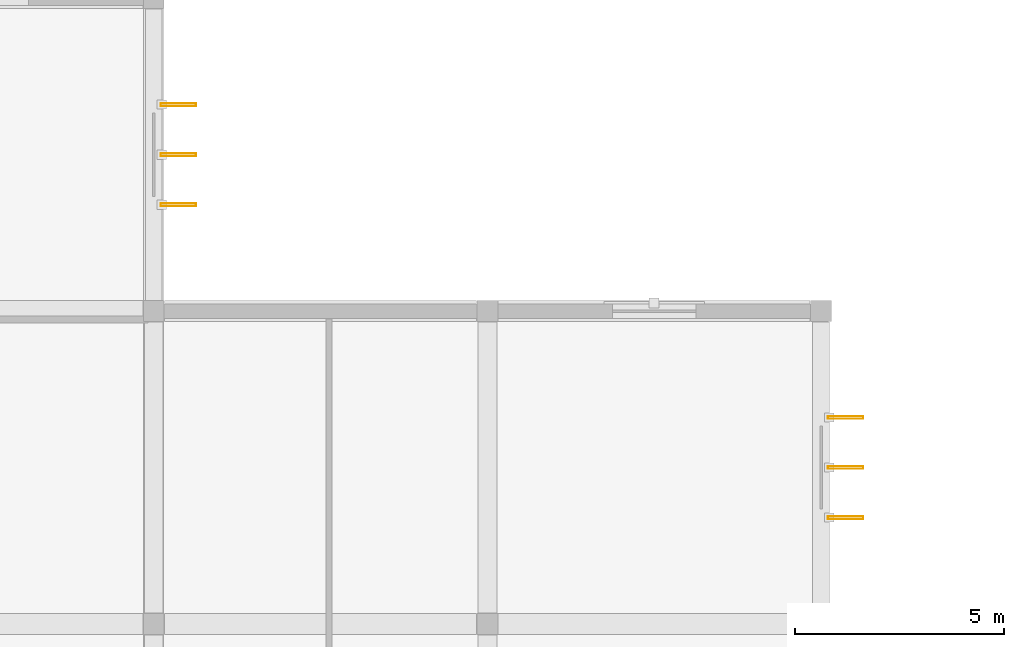
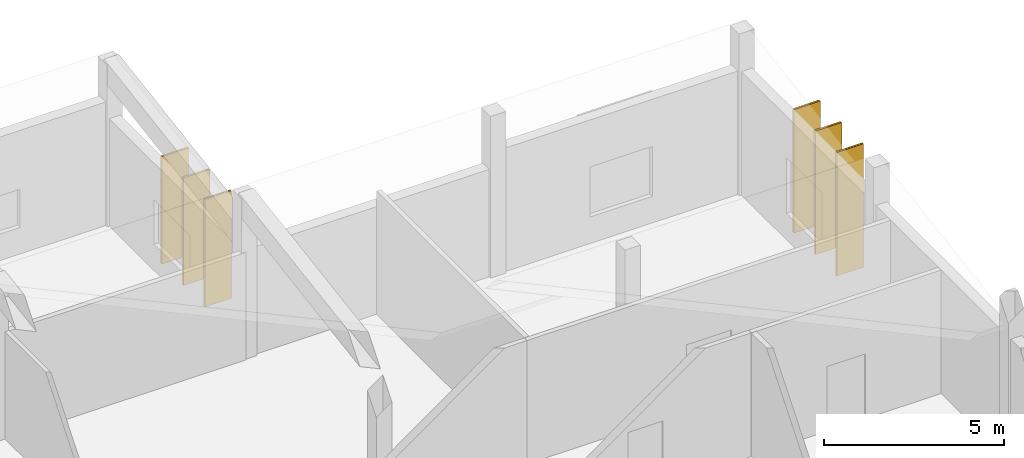
# One storey, part 164 of 164: 6 shading devices.
"""IFC4 building model written with IfcOpenShell, lengths in metres."""

from ifc_helpers import new_model, si_unit, direction, frame, origin, origin_2d, place, context, subcontext, project, spatial, hollow_rectangle, extrude, material, material_profile, profile_set, type_object, element, save


model = new_model("IFC4")

# Units and contexts
model_context = context("Model", 3, precision=1e-05, world=origin(), true_north=direction((0.0, 1.0)))
body_context = subcontext(model_context, "Body", "Model", "MODEL_VIEW")
ifc_project = project(units=[si_unit("LENGTHUNIT", "METRE"), si_unit("AREAUNIT", "SQUARE_METRE"), si_unit("VOLUMEUNIT", "CUBIC_METRE"), si_unit("PLANEANGLEUNIT", "RADIAN"), si_unit("MASSUNIT", "GRAM", prefix="KILO")], contexts=[model_context])

# Site, building, storey
site_placement = place(None, origin())
site = spatial("IfcSite", under=ifc_project, at=site_placement, CompositionType="ELEMENT")
building_placement = place(site_placement, origin())
building = spatial("IfcBuilding", under=site, at=building_placement, Name="Mawjan Specialist Oncology Clinic", CompositionType="ELEMENT")
storey_placement = place(building_placement, frame((0.0, 0.0, 5.0)))
storey = spatial("IfcBuildingStorey", under=building, at=storey_placement, Name="L01", CompositionType="ELEMENT", Elevation=5.0)

# Shading devices
ifc_material = material(Name="Bronze-anodised aluminium 6063-T6", Category="aluminium")
ifc_material_profile = material_profile(ifc_material, hollow_rectangle(XDim=0.070068359375, YDim=0.85009765625, WallThickness=0.0048828125, at=origin_2d()), Name="FIN 850x70x5", Category="aluminium")
ifc_profile_set = profile_set([ifc_material_profile], Name="Bronze-anodised aluminium 6063-T6")
shading_device_type = type_object("IfcShadingDeviceType", Name="SF-850", PredefinedType="USERDEFINED", material=ifc_profile_set)
for number, where, z_axis, x_axis, name in (
    (1, (140.590087890625, 103.25, 0.0), (0.0, 0.0, 1.0), (0.0, -1.0, 0.0), "L01 Vertical Solar Fin SF-0007"),
    (2, (140.590087890625, 102.050048828125, 0.0), (0.0, 0.0, 1.0), (0.0, -1.0, 0.0), "L01 Vertical Solar Fin SF-0008"),
    (3, (140.590087890625, 100.85009765625, 0.0), (0.0, 0.0, 1.0), (0.0, -1.0, 0.0), "L01 Vertical Solar Fin SF-0009"),
):
    element("IfcShadingDevice", number, at=place(storey_placement, frame(where, z_axis=z_axis, x_axis=x_axis)), inside=storey, type_object=shading_device_type, Name=name, ObjectType="SOLAR FIN", PredefinedType="USERDEFINED", context=body_context, shape_type="SweptSolid", body=[
        extrude(hollow_rectangle(XDim=0.070068359375, YDim=0.85009765625, WallThickness=0.0048828125, at=origin_2d()), origin(), (0.0, 0.0, 1.0), 3.655029296875),
    ])
for number, where, z_axis, x_axis, name in (
    (4, (156.590087890625, 95.75, 0.0), (0.0, 0.0, 1.0), (0.0, -1.0, 0.0), "L01 Vertical Solar Fin SF-0010"),
    (5, (156.590087890625, 94.550048828125, 0.0), (0.0, 0.0, 1.0), (0.0, -1.0, 0.0), "L01 Vertical Solar Fin SF-0011"),
    (6, (156.590087890625, 93.35009765625, 0.0), (0.0, 0.0, 1.0), (0.0, -1.0, 0.0), "L01 Vertical Solar Fin SF-0012"),
):
    element("IfcShadingDevice", number, at=place(storey_placement, frame(where, z_axis=z_axis, x_axis=x_axis)), inside=storey, type_object=shading_device_type, Name=name, ObjectType="SOLAR FIN", PredefinedType="USERDEFINED", context=body_context, shape_type="SweptSolid", body=[
        extrude(hollow_rectangle(XDim=0.070068359375, YDim=0.85009765625, WallThickness=0.0048828125, at=origin_2d()), origin(), (0.0, 0.0, 1.0), 4.199951171875),
    ])

save(model, "model.ifc")
